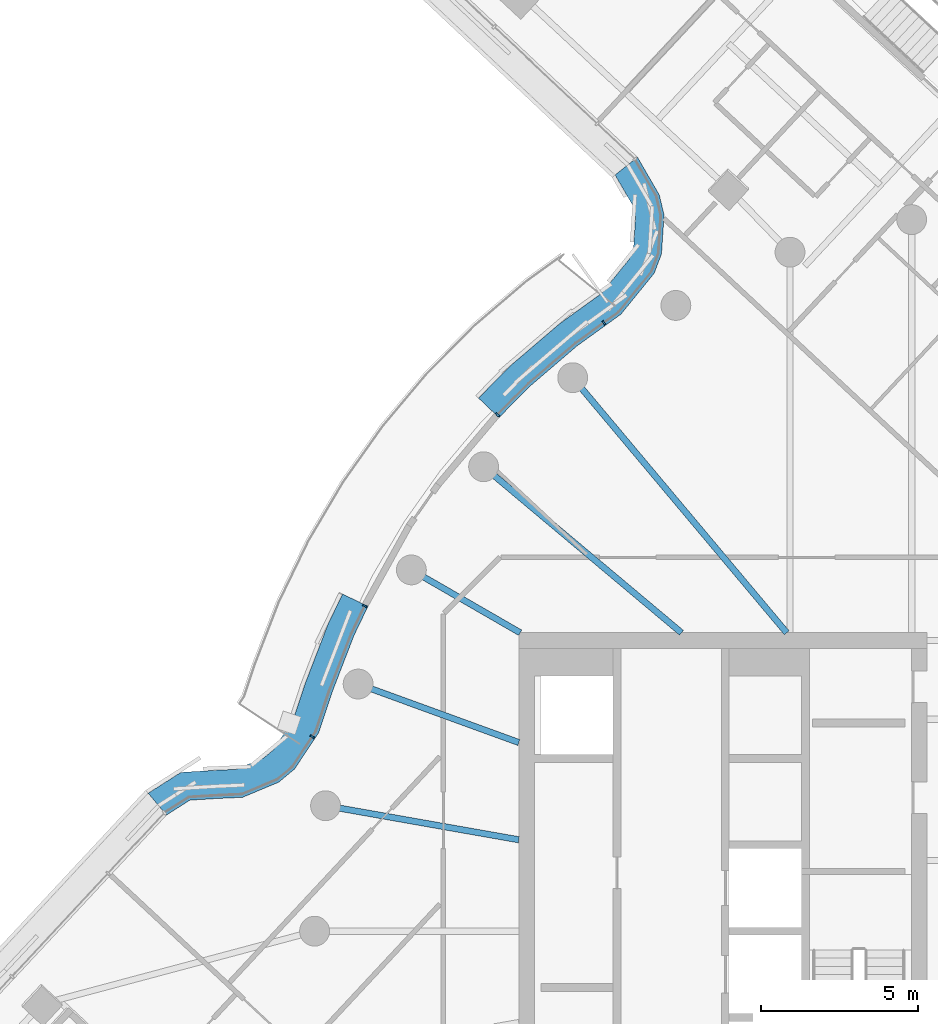
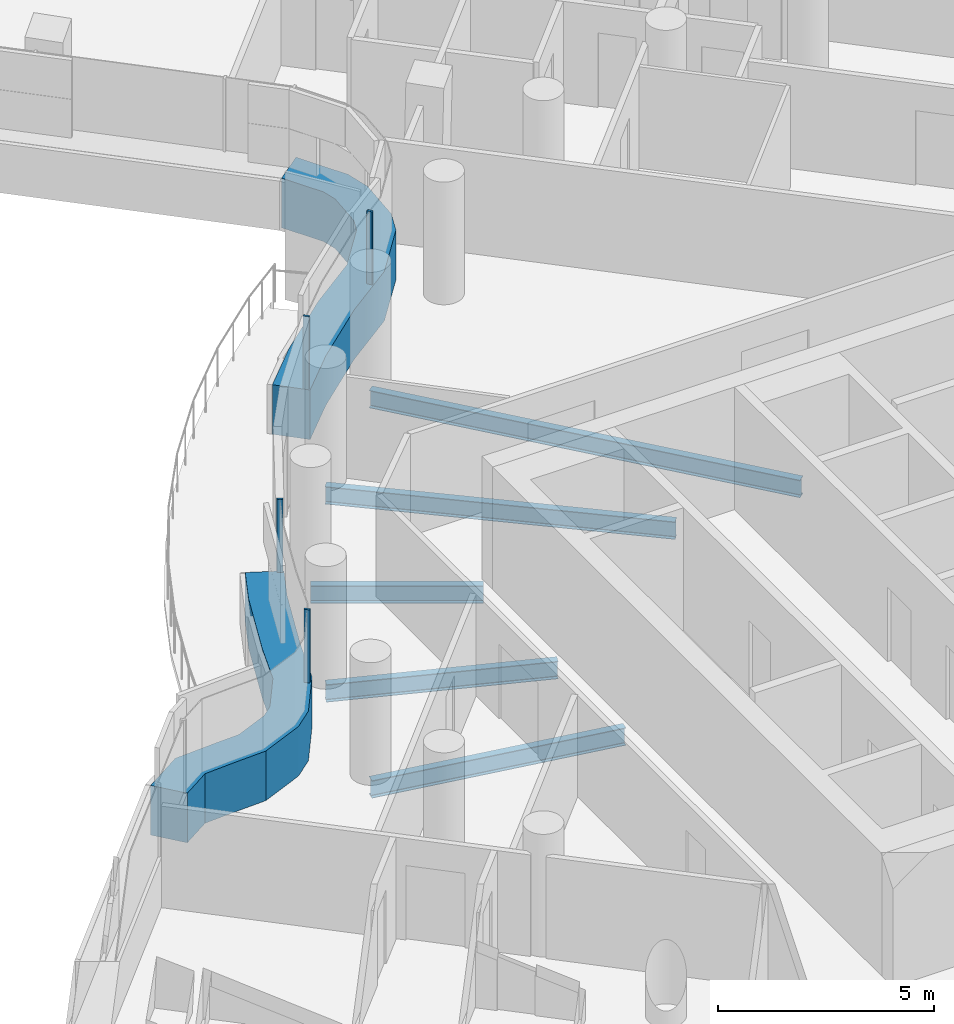
# One storey, part 8 of 30: 6 members, 5 beams, 1 element without a shape of its own.
"""IFC4 building model written with IfcOpenShell, lengths in metres."""

from ifc_helpers import new_model, si_unit, direction, frame, origin, origin_2d, place, context, subcontext, project, spatial, polyline, rectangle, i_section, outline, extrude, material, layer, layer_set, material_profile, profile_set, type_object, element, aggregate, save


model = new_model("IFC4")

# Units and contexts
model_context = context("Model", 3, precision=1e-05, world=origin(), true_north=direction((0.0, 1.0)))
body_context = subcontext(model_context, "Body", "Model", "MODEL_VIEW")
ifc_project = project(units=[si_unit("LENGTHUNIT", "METRE"), si_unit("AREAUNIT", "SQUARE_METRE"), si_unit("VOLUMEUNIT", "CUBIC_METRE"), si_unit("PLANEANGLEUNIT", "RADIAN"), si_unit("MASSUNIT", "GRAM", prefix="KILO")], contexts=[model_context])

# Site, building, storey
site_placement = place(None, origin())
site = spatial("IfcSite", under=ifc_project, at=site_placement, CompositionType="ELEMENT")
building_placement = place(site_placement, origin())
building = spatial("IfcBuilding", under=site, at=building_placement, Name="Tamarind Cross Interchange Tower", CompositionType="ELEMENT")
storey_placement = place(building_placement, frame((0.0, 0.0, 204.10009765625)))
storey = spatial("IfcBuildingStorey", under=building, at=storey_placement, Name="L51", CompositionType="ELEMENT", Elevation=204.10009765625)

# Beams
ifc_material_1 = material(Name="Steel Q355B", Category="steel")
ifc_material_profile_1 = material_profile(ifc_material_1, i_section(OverallWidth=0.198974609375, OverallDepth=0.49609375, WebThickness=0.009033203125, FlangeThickness=0.013916015625, FilletRadius=0.012939453125, at=origin_2d()), Name="HN 496x199x9x14")
ifc_profile_set_1 = profile_set([ifc_material_profile_1], Name="Steel Q355B")
beam_type = type_object("IfcBeamType", Name="Composite beam HN 496x199x9x14 Q355B", PredefinedType="BEAM", material=ifc_profile_set_1)
beam_1_placement = place(storey_placement, frame((-14.7841796875, 17.619140625, -0.38818359375), z_axis=(0.642786293979, -0.766045547127, 0.0), x_axis=(0.766045547127, 0.642786293979, 0.0)))
element("IfcBeam", 1, at=beam_1_placement, inside=storey, type_object=beam_type, Name="Beam HH13", PredefinedType="BEAM", context=body_context, shape_type="SweptSolid", body=[
    extrude(i_section(OverallWidth=0.198974609375, OverallDepth=0.49609375, WebThickness=0.009033203125, FlangeThickness=0.013916015625, FilletRadius=0.012939453125, at=origin_2d()), origin(), (0.0, 0.0, 1.0), 10.598876953125),
])
beam_2_placement = place(storey_placement, frame((-17.619140625, 14.7841796875, -0.38818359375), z_axis=(0.766040580814, -0.642792212574, 0.0), x_axis=(0.642792212574, 0.766040580814, 0.0)))
element("IfcBeam", 2, at=beam_2_placement, inside=storey, type_object=beam_type, Name="Beam HH14", PredefinedType="BEAM", context=body_context, shape_type="SweptSolid", body=[
    extrude(i_section(OverallWidth=0.198974609375, OverallDepth=0.49609375, WebThickness=0.009033203125, FlangeThickness=0.013916015625, FilletRadius=0.012939453125, at=origin_2d()), origin(), (0.0, 0.0, 1.0), 8.220703125),
])
beam_3_placement = place(storey_placement, frame((-19.918701171875, 11.5, -0.38818359375), z_axis=(0.866026010844, -0.49999894854, 0.0), x_axis=(0.49999894854, 0.866026010844, 0.0)))
element("IfcBeam", 3, at=beam_3_placement, inside=storey, type_object=beam_type, Name="Beam HH15", PredefinedType="BEAM", context=body_context, shape_type="SweptSolid", body=[
    extrude(i_section(OverallWidth=0.198974609375, OverallDepth=0.49609375, WebThickness=0.009033203125, FlangeThickness=0.013916015625, FilletRadius=0.012939453125, at=origin_2d()), origin(), (0.0, 0.0, 1.0), 4.0),
])
beam_4_placement = place(storey_placement, frame((-21.613037109375, 7.866455078125, -0.38818359375), z_axis=(0.939701685589, -0.341995236956, 0.0), x_axis=(0.341995236956, 0.939701685589, 0.0)))
element("IfcBeam", 4, at=beam_4_placement, inside=storey, type_object=beam_type, Name="Beam HH16", PredefinedType="BEAM", context=body_context, shape_type="SweptSolid", body=[
    extrude(i_section(OverallWidth=0.198974609375, OverallDepth=0.49609375, WebThickness=0.009033203125, FlangeThickness=0.013916015625, FilletRadius=0.012939453125, at=origin_2d()), origin(), (0.0, 0.0, 1.0), 5.441162109375),
])
beam_5_placement = place(storey_placement, frame((-22.650634765625, 3.993896484375, -0.38818359375), z_axis=(0.984809127561, -0.173640382036, 0.0), x_axis=(0.173640382036, 0.984809127561, 0.0)))
element("IfcBeam", 5, at=beam_5_placement, inside=storey, type_object=beam_type, Name="Beam HH17", PredefinedType="BEAM", context=body_context, shape_type="SweptSolid", body=[
    extrude(i_section(OverallWidth=0.198974609375, OverallDepth=0.49609375, WebThickness=0.009033203125, FlangeThickness=0.013916015625, FilletRadius=0.012939453125, at=origin_2d()), origin(), (0.0, 0.0, 1.0), 6.24560546875),
])

# Curtain wall, members
ifc_material_2 = material(Name="Aluminium 6063-T6", Category="aluminium")
ifc_layer = layer(ifc_material_2, 0.139892578125)
ifc_layer_set = layer_set([ifc_layer], Name="Aluminium 6063-T6")
curtain_wall_type = type_object("IfcCurtainWallType", Name="Hotel curtain wall, 4.5 m bays", PredefinedType="NOTDEFINED", material=ifc_layer_set)
curtain_wall_placement = place(storey_placement, origin())
curtain_wall = element("IfcCurtainWall", 6, at=curtain_wall_placement, inside=storey, type_object=curtain_wall_type, Name="CWS-L51-10", PredefinedType="NOTDEFINED")
ifc_material_3 = material(Name="Aluminium and insulated spandrel panel", Category="aluminium")
member_type_1 = type_object("IfcMemberType", Name="Floor-edge blade transom", PredefinedType="USERDEFINED", material=ifc_material_3)
member_1_placement = place(storey_placement, origin())
member_1 = element("IfcMember", 7, at=member_1_placement, type_object=member_type_1, Name="CWT-L51-10-0", ObjectType="TRANSOM", PredefinedType="USERDEFINED", context=body_context, shape_type="SweptSolid", body=[
    extrude(outline(polyline([(-12.72216796875, 24.63916015625), (-12.025634765625, 23.4375), (-11.87548828125, 22.796630859375), (-11.9560546875, 21.55908203125), (-12.189697265625, 20.939208984375), (-13.248779296875, 19.636474609375), (-14.634521484375, 18.636474609375), (-16.12353515625, 17.3642578125), (-17.130859375, 16.34814453125), (-17.7822265625, 16.969482421875), (-16.736572265625, 18.0244140625), (-15.19091796875, 19.3447265625), (-13.871826171875, 20.296630859375), (-12.980224609375, 21.3935546875), (-12.845458984375, 21.751220703125), (-12.7822265625, 22.7216796875), (-12.871337890625, 23.10205078125), (-13.434814453125, 24.07373046875), (-12.72216796875, 24.63916015625)])), origin(), (0.0, 0.0, 1.0), 1.39990234375),
])
member_2_placement = place(storey_placement, origin())
member_2 = element("IfcMember", 8, at=member_2_placement, type_object=member_type_1, Name="CWT-L51-10-1", ObjectType="TRANSOM", PredefinedType="USERDEFINED", context=body_context, shape_type="SweptSolid", body=[
    extrude(outline(polyline([(-21.298828125, 10.3388671875), (-21.74072265625, 9.425048828125), (-22.44677734375, 7.59228515625), (-22.873046875, 6.314208984375), (-23.63623046875, 5.160400390625), (-24.14306640625, 4.740966796875), (-25.294189453125, 4.2587890625), (-26.046630859375, 4.2255859375), (-26.968017578125, 4.170166015625), (-27.71630859375, 3.693603515625), (-28.296630859375, 4.39111328125), (-27.254638671875, 5.054443359375), (-26.093505859375, 5.124267578125), (-25.493896484375, 5.15087890625), (-24.614013671875, 5.519287109375), (-24.313232421875, 5.768310546875), (-23.689208984375, 6.711669921875), (-23.2939453125, 7.896728515625), (-22.567138671875, 9.783203125), (-22.1083984375, 10.731689453125), (-21.298828125, 10.3388671875)])), origin(), (0.0, 0.0, 1.0), 1.39990234375),
])
ifc_material_profile_2 = material_profile(ifc_material_2, rectangle(XDim=0.06005859375, YDim=0.139892578125, at=origin_2d()), Name="Mullion CW2")
ifc_profile_set_2 = profile_set([ifc_material_profile_2], Name="Aluminium 6063-T6")
member_type_2 = type_object("IfcMemberType", Name="Mullion CW2", PredefinedType="MULLION", material=ifc_profile_set_2)
member_3_placement = place(storey_placement, frame((-13.79248046875, 19.367431640625, 1.39990234375), z_axis=(0.0, 0.0, 1.0), x_axis=(-0.8108888363, -0.585200218014, 0.0)))
member_3 = element("IfcMember", 9, at=member_3_placement, type_object=member_type_2, Name="CWM-L51-10-01", PredefinedType="MULLION", context=body_context, shape_type="SweptSolid", body=[
    extrude(rectangle(XDim=0.06005859375, YDim=0.139892578125, at=origin_2d()), origin(), (0.0, 0.0, 1.0), 2.06005859375),
])
member_4_placement = place(storey_placement, frame((-17.182373046875, 16.438232421875, 1.39990234375), z_axis=(0.0, 0.0, 1.0), x_axis=(-0.704057148523, -0.710143317658, 0.0)))
member_4 = element("IfcMember", 10, at=member_4_placement, type_object=member_type_2, Name="CWM-L51-10-02", PredefinedType="MULLION", context=body_context, shape_type="SweptSolid", body=[
    extrude(rectangle(XDim=0.06005859375, YDim=0.139892578125, at=origin_2d()), origin(), (0.0, 0.0, 1.0), 2.06005859375),
])
member_5_placement = place(storey_placement, frame((-21.401611328125, 10.355712890625, 1.39990234375), z_axis=(0.0, 0.0, 1.0), x_axis=(-0.435326231914, -0.900272776334, 0.0)))
member_5 = element("IfcMember", 11, at=member_5_placement, type_object=member_type_2, Name="CWM-L51-10-03", PredefinedType="MULLION", context=body_context, shape_type="SweptSolid", body=[
    extrude(rectangle(XDim=0.06005859375, YDim=0.139892578125, at=origin_2d()), origin(), (0.0, 0.0, 1.0), 2.06005859375),
])
member_6_placement = place(storey_placement, frame((-23.07421875, 6.19140625, 1.39990234375), z_axis=(0.0, 0.0, 1.0), x_axis=(-0.55164280591, -0.83408046056, 0.0)))
member_6 = element("IfcMember", 12, at=member_6_placement, type_object=member_type_2, Name="CWM-L51-10-04", PredefinedType="MULLION", context=body_context, shape_type="SweptSolid", body=[
    extrude(rectangle(XDim=0.06005859375, YDim=0.139892578125, at=origin_2d()), origin(), (0.0, 0.0, 1.0), 2.06005859375),
])
aggregate(curtain_wall, [member_3, member_4, member_5, member_6, member_1, member_2])

save(model, "model.ifc")
